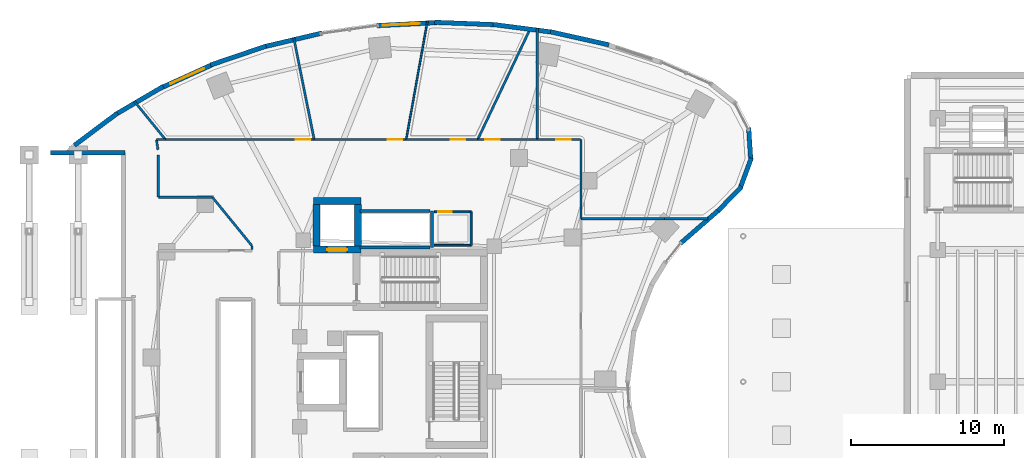
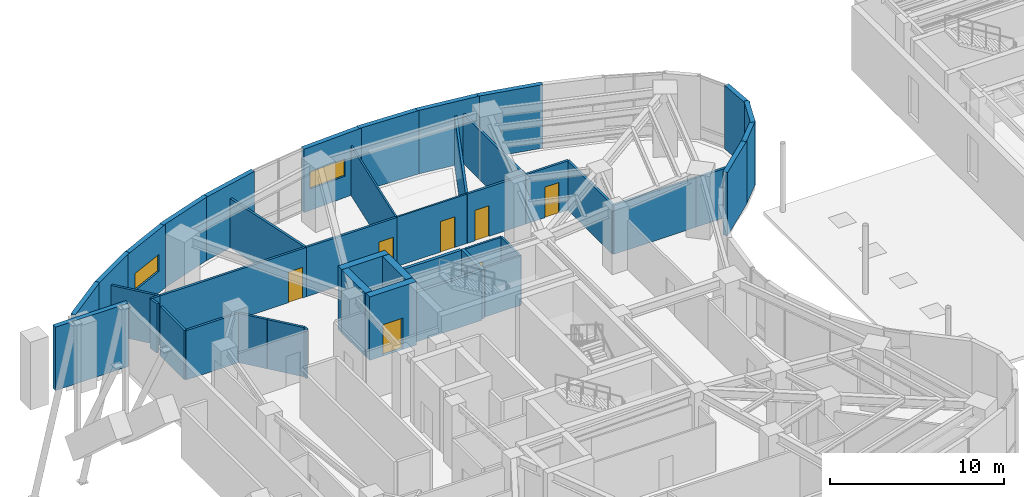
# One storey, part 18 of 24: 44 walls, 7 doors, 2 windows, 9 openings.
"""IFC4 building model written with IfcOpenShell, lengths in metres."""

import ifcopenshell
import ifcopenshell.guid

model = None  # the IFC model being written
_history = None  # IfcOwnerHistory: only IFC2X3 demands one
_inside = {}  # id of a spatial element -> (the spatial element, [elements in it])
_under = {}  # id of a project, library or spatial element -> (it, [spatial elements below it])
_declared = {}  # id of a project -> (the project, [libraries it declares])
_typed = {}  # id of a type object -> (the type object, [elements of that type])
_made_of = {}  # id of a material, layer set ... -> (it, [elements and type objects made of it])


def new_model(schema):
    """Start an empty IFC model of exactly this schema.

    Asked for "IFC4X3", IfcOpenShell would pick the latest addendum, in which some entities
    have other attributes; the version numbers below select the first issue.
    IFC2X3 requires an IfcOwnerHistory on every rooted entity: one is made here for all.
    """
    global model, _history
    if schema == "IFC4X3":
        model = ifcopenshell.file(schema_version=(4, 3, 0, 0))
    else:
        model = ifcopenshell.file(schema=schema)
    _inside.clear()
    _under.clear()
    _declared.clear()
    _typed.clear()
    _made_of.clear()
    _history = None
    if model.schema == "IFC2X3":
        org = make("IfcOrganization", Name="unknown")
        user = make(
            "IfcPersonAndOrganization",
            ThePerson=make("IfcPerson", FamilyName="unknown"),
            TheOrganization=org,
        )
        app = make(
            "IfcApplication",
            ApplicationDeveloper=org,
            Version="unknown",
            ApplicationFullName="unknown",
            ApplicationIdentifier="unknown",
        )
        _history = make(
            "IfcOwnerHistory",
            OwningUser=user,
            OwningApplication=app,
            ChangeAction="ADDED",
            CreationDate=0,
        )
    return model


def make(cls, **values):
    """One entity of the class cls with the attributes given. An attribute that is None is left unset."""
    return model.create_entity(
        cls, **{name: value for name, value in values.items() if value is not None}
    )


def rooted(cls, **values):
    """An entity with a GlobalId (a new one), such as an element, a storey or a relation."""
    return make(cls, GlobalId=ifcopenshell.guid.new(), OwnerHistory=_history, **values)


def si_unit(unit_type, name, prefix=None):
    """IfcSIUnit, for example si_unit("LENGTHUNIT", "METRE", prefix="MILLI")."""
    return make("IfcSIUnit", UnitType=unit_type, Prefix=prefix, Name=name)


def assignment(units):
    """IfcUnitAssignment: the units of a project."""
    return None if units is None else make("IfcUnitAssignment", Units=units)


def point(xyz):
    """IfcCartesianPoint."""
    return None if xyz is None else make("IfcCartesianPoint", Coordinates=xyz)


def direction(xyz):
    """IfcDirection."""
    return None if xyz is None else make("IfcDirection", DirectionRatios=xyz)


def frame(location, z_axis=None, x_axis=None):
    """IfcAxis2Placement3D, a coordinate frame: its origin and axes. An axis left out is left unset."""
    return make(
        "IfcAxis2Placement3D",
        Location=point(location),
        Axis=direction(z_axis),
        RefDirection=direction(x_axis),
    )


def frame_2d(location, x_axis=None):
    """IfcAxis2Placement2D, a coordinate frame in the plane: its origin and x axis."""
    return make(
        "IfcAxis2Placement2D", Location=point(location), RefDirection=direction(x_axis)
    )


def origin():
    """The frame at (0, 0, 0) with its axes left unset."""
    return frame((0.0, 0.0, 0.0))


def place(relative_to, where):
    """IfcLocalPlacement: puts the frame where relative to a parent placement (None: the world)."""
    return make(
        "IfcLocalPlacement", PlacementRelTo=relative_to, RelativePlacement=where
    )


def context(
    kind, dimensions, precision=None, world=None, true_north=None, identifier=None
):
    """IfcGeometricRepresentationContext, for example the 3D "Model" context."""
    return make(
        "IfcGeometricRepresentationContext",
        ContextIdentifier=identifier,
        ContextType=kind,
        CoordinateSpaceDimension=dimensions,
        Precision=precision,
        WorldCoordinateSystem=world,
        TrueNorth=true_north,
    )


def subcontext(parent, identifier, kind, view, scale=None):
    """IfcGeometricRepresentationSubContext, for example "Body" below "Model"."""
    return make(
        "IfcGeometricRepresentationSubContext",
        ContextIdentifier=identifier,
        ContextType=kind,
        ParentContext=parent,
        TargetScale=scale,
        TargetView=view,
    )


def project(units=None, contexts=None):
    """IfcProject with its units and contexts."""
    return rooted(
        "IfcProject",
        Name="project",
        RepresentationContexts=contexts,
        UnitsInContext=assignment(units),
    )


def spatial(cls, under=None, at=None, **own):
    """A site, building, storey or space (cls), placed at a placement, below another one or the project."""
    s = rooted(cls, ObjectPlacement=at, **own)
    if under is not None:
        _under.setdefault(under.id(), (under, []))[1].append(s)
    return s


def profile(cls, at=None, kind="AREA", **sizes):
    """A parametric profile (cls). Its sizes go by their IFC names, for example OverallWidth=200.0."""
    return make(cls, ProfileType=kind, Position=at, **sizes)


def rectangle(**sizes):
    """IfcRectangleProfileDef."""
    return profile("IfcRectangleProfileDef", **sizes)


def extrude(swept, where, along, depth):
    """IfcExtrudedAreaSolid: the profile swept, set in the frame where, extruded along a direction by depth."""
    return make(
        "IfcExtrudedAreaSolid",
        SweptArea=swept,
        Position=where,
        ExtrudedDirection=direction(along),
        Depth=depth,
    )


def shape(context_of_items, identifier, shape_type, items):
    """IfcShapeRepresentation: the items that make up one representation, for example the "Body"."""
    return make(
        "IfcShapeRepresentation",
        ContextOfItems=context_of_items,
        RepresentationIdentifier=identifier,
        RepresentationType=shape_type,
        Items=items,
    )


def material(Name=None, Category=None):
    """IfcMaterial."""
    return make("IfcMaterial", Name=Name, Category=Category)


def layer(
    of_material, thickness, ventilated=None, Name=None, Category=None, Priority=None
):
    """IfcMaterialLayer: one layer of a wall or slab, of a material (None: an air gap)."""
    return make(
        "IfcMaterialLayer",
        Material=of_material,
        LayerThickness=thickness,
        IsVentilated=ventilated,
        Name=Name,
        Category=Category,
        Priority=Priority,
    )


def layer_set(layers, Name=None):
    """IfcMaterialLayerSet."""
    return make("IfcMaterialLayerSet", MaterialLayers=layers, LayerSetName=Name)


def made_of(thing, what):
    """Note that an element or type object is made of a material, layer set ...; save() writes the relation."""
    if what is not None:
        _made_of.setdefault(what.id(), (what, []))[1].append(thing)
    return thing


def type_object(cls, material=None, **own):
    """A type object (cls), such as IfcWallType, which elements share."""
    return made_of(rooted(cls, **own), material)


def element(
    cls,
    number,
    at=None,
    inside=None,
    cuts=None,
    type_object=None,
    material=None,
    context=None,
    identifier="Body",
    shape_type=None,
    held_by="IfcProductDefinitionShape",
    body=None,
    shapes=None,
    **own,
):
    """One element of the class cls, such as IfcWall. Its Tag is "e" and its number.

    at: its placement. inside: the storey or other place that contains it. cuts: it is an
    opening in that element (IfcRelVoidsElement). A single representation is given by context,
    identifier, shape_type and body (its items); several are given by shapes. held_by: the class
    of the entity that holds the representations. save() writes the other relations.
    """
    e = rooted(cls, Tag="e%d" % number, ObjectPlacement=at, **own)
    if body is not None:
        shapes = [shape(context, identifier, shape_type, body)]
    if shapes is not None:
        e.Representation = make(held_by, Representations=shapes)
    if inside is not None:
        _inside.setdefault(inside.id(), (inside, []))[1].append(e)
    if cuts is not None:
        rooted(
            "IfcRelVoidsElement", RelatingBuildingElement=cuts, RelatedOpeningElement=e
        )
    if type_object is not None:
        _typed.setdefault(type_object.id(), (type_object, []))[1].append(e)
    return made_of(e, material)


def fill(opening, filler):
    """IfcRelFillsElement: the door or window that sits in an opening."""
    return rooted(
        "IfcRelFillsElement",
        RelatingOpeningElement=opening,
        RelatedBuildingElement=filler,
    )


def aggregate(whole, parts):
    """IfcRelAggregates: a whole, such as a stair, and the parts it consists of."""
    return rooted("IfcRelAggregates", RelatingObject=whole, RelatedObjects=parts)


def save(model, path):
    """Write the relations noted so far, then the file.

    IfcRelAggregates (storeys below a building ...), IfcRelContainedInSpatialStructure (elements
    in a storey), IfcRelDefinesByType, IfcRelAssociatesMaterial and IfcRelDeclares: one each for
    every whole, place, type object, material and project.
    """
    for whole, parts in _under.values():
        aggregate(whole, parts)
    for where, things in _inside.values():
        rooted(
            "IfcRelContainedInSpatialStructure",
            RelatedElements=things,
            RelatingStructure=where,
        )
    for kind, things in _typed.values():
        rooted("IfcRelDefinesByType", RelatedObjects=things, RelatingType=kind)
    for what, things in _made_of.values():
        rooted("IfcRelAssociatesMaterial", RelatedObjects=things, RelatingMaterial=what)
    for by, libraries in _declared.values():
        rooted("IfcRelDeclares", RelatingContext=by, RelatedDefinitions=libraries)
    model.write(path)


model = new_model("IFC4")

# Units and contexts
model_context = context("Model", 3, precision=1e-05, world=origin(), true_north=direction((0.0, 1.0)))
body_context = subcontext(model_context, "Body", "Model", "MODEL_VIEW")
ifc_project = project(units=[si_unit("LENGTHUNIT", "METRE"), si_unit("AREAUNIT", "SQUARE_METRE"), si_unit("VOLUMEUNIT", "CUBIC_METRE"), si_unit("PLANEANGLEUNIT", "RADIAN"), si_unit("MASSUNIT", "GRAM", prefix="KILO")], contexts=[model_context])

# Site, building, storey
site_placement = place(None, origin())
site = spatial("IfcSite", under=ifc_project, at=site_placement, CompositionType="ELEMENT")
building_placement = place(site_placement, origin())
building = spatial("IfcBuilding", under=site, at=building_placement, Name="Korentha Bioscience Tower", CompositionType="ELEMENT")
storey_placement = place(building_placement, frame((0.0, 0.0, 10.199951171875)))
storey = spatial("IfcBuildingStorey", under=building, at=storey_placement, Name="L02", CompositionType="ELEMENT", Elevation=10.199951171875)

# Wall, opening, door
ifc_material_1 = material(Name="Double-Stud Acoustic Gypsum", Category="gypsum")
ifc_layer_1 = layer(ifc_material_1, 0.14990234375, Name="Double-Stud Acoustic Gypsum")
ifc_layer_set_1 = layer_set([ifc_layer_1], Name="Double-Stud Acoustic Gypsum (IW-L150)")
wall_type_1 = type_object("IfcWallType", Name="Acoustic Laboratory Partition Wall 150", PredefinedType="PARTITIONING", material=ifc_layer_set_1)
wall_1_placement = place(storey_placement, frame((43.199951171875, 42.81005859375, 0.0), z_axis=(0.0, 0.0, 1.0), x_axis=(-1.0, 0.0, 0.0)))
wall_1 = element("IfcWall", 1, at=wall_1_placement, inside=storey, type_object=wall_type_1, Name="L02 Academic Poster Exhibition Lounge 10 Entrance Wall", PredefinedType="PARTITIONING", context=body_context, shape_type="SweptSolid", body=[
    extrude(rectangle(XDim=2.847900390625, YDim=0.14990234375, at=frame_2d((1.423828125, 0.0))), origin(), (0.0, 0.0, 1.0), 3.4599609375),
])
opening_1_placement = place(wall_1_placement, frame((0.639404296875, 0.0, 0.0)))
opening_1 = element("IfcOpeningElement", 2, at=opening_1_placement, cuts=wall_1, Name="Opening ID-10L", PredefinedType="OPENING", context=body_context, shape_type="SweptSolid", body=[
    extrude(rectangle(XDim=0.949951171875, YDim=2.14990234375, at=frame_2d((0.47509765625, 1.074951171875))), frame((0.0, 0.08984375, 0.0), z_axis=(0.0, -1.0, 0.0), x_axis=(1.0, 0.0, 0.0)), (0.0, 0.0, 1.0), 0.1796875),
])
ifc_material_2 = material(Name="Phenolic Laminate Timber Core", Category="wood")
door_type_1 = type_object("IfcDoorType", Name="Laboratory Single Leaf Door 950x2150 Left", OperationType="SINGLE_SWING_LEFT", PredefinedType="DOOR", material=ifc_material_2)
door_1_placement = place(opening_1_placement, origin())
door_1 = element("IfcDoor", 3, at=door_1_placement, inside=storey, type_object=door_type_1, Name="L02 Academic Poster Exhibition Lounge 10 Door", OperationType="SINGLE_SWING_LEFT", OverallHeight=2.14990234375, OverallWidth=0.949951171875, PredefinedType="DOOR", context=body_context, shape_type="SweptSolid", body=[
    extrude(rectangle(XDim=0.949951171875, YDim=2.14990234375, at=frame_2d((0.47509765625, 1.074951171875))), frame((0.0, 0.02490234375, 0.0), z_axis=(0.0, -1.0, 0.0), x_axis=(1.0, 0.0, 0.0)), (0.0, 0.0, 1.0), 0.050048828125),
])
fill(opening_1, door_1)

wall_2_placement = place(storey_placement, frame((40.342041015625, 42.81005859375, 0.0), z_axis=(0.0, 0.0, 1.0), x_axis=(-1.0, 0.0, 0.0)))
wall_2 = element("IfcWall", 4, at=wall_2_placement, inside=storey, type_object=wall_type_1, Name="L02 Industry Incubator Co-Working Studio 11 Entrance Wall", PredefinedType="PARTITIONING", context=body_context, shape_type="SweptSolid", body=[
    extrude(rectangle(XDim=3.86865234375, YDim=0.14990234375, at=frame_2d((1.934326171875, 0.0))), origin(), (0.0, 0.0, 1.0), 3.4599609375),
])
opening_2_placement = place(wall_2_placement, frame((2.4267578125, 0.0, 0.0)))
opening_2 = element("IfcOpeningElement", 5, at=opening_2_placement, cuts=wall_2, Name="Opening ID-10R", PredefinedType="OPENING", context=body_context, shape_type="SweptSolid", body=[
    extrude(rectangle(XDim=0.949951171875, YDim=2.14990234375, at=frame_2d((0.47509765625, 1.074951171875))), frame((0.0, 0.08984375, 0.0), z_axis=(0.0, -1.0, 0.0), x_axis=(1.0, 0.0, 0.0)), (0.0, 0.0, 1.0), 0.1796875),
])
door_type_2 = type_object("IfcDoorType", Name="Laboratory Single Leaf Door 950x2150 Right", OperationType="SINGLE_SWING_RIGHT", PredefinedType="DOOR", material=ifc_material_2)
door_2_placement = place(opening_2_placement, origin())
door_2 = element("IfcDoor", 6, at=door_2_placement, inside=storey, type_object=door_type_2, Name="L02 Industry Incubator Co-Working Studio 11 Door", OperationType="SINGLE_SWING_RIGHT", OverallHeight=2.14990234375, OverallWidth=0.949951171875, PredefinedType="DOOR", context=body_context, shape_type="SweptSolid", body=[
    extrude(rectangle(XDim=0.949951171875, YDim=2.14990234375, at=frame_2d((0.47509765625, 1.074951171875))), frame((0.0, 0.02490234375, 0.0), z_axis=(0.0, -1.0, 0.0), x_axis=(1.0, 0.0, 0.0)), (0.0, 0.0, 1.0), 0.050048828125),
])
fill(opening_2, door_2)

wall_3_placement = place(storey_placement, frame((31.798095703125, 42.81005859375, 0.0), z_axis=(0.0, 0.0, 1.0), x_axis=(-1.0, 0.0, 0.0)))
wall_3 = element("IfcWall", 7, at=wall_3_placement, inside=storey, type_object=wall_type_1, Name="L02 Bioscience Reference Library 13 Entrance Wall", PredefinedType="PARTITIONING", context=body_context, shape_type="SweptSolid", body=[
    extrude(rectangle(XDim=5.998046875, YDim=0.14990234375, at=frame_2d((2.9990234375, 0.0))), origin(), (0.0, 0.0, 1.0), 3.4599609375),
])
opening_3_placement = place(wall_3_placement, frame((0.239990234375, 0.0, 0.0)))
opening_3 = element("IfcOpeningElement", 8, at=opening_3_placement, cuts=wall_3, Name="Opening ID-10R", PredefinedType="OPENING", context=body_context, shape_type="SweptSolid", body=[
    extrude(rectangle(XDim=0.949951171875, YDim=2.14990234375, at=frame_2d((0.47509765625, 1.074951171875))), frame((0.0, 0.08984375, 0.0), z_axis=(0.0, -1.0, 0.0), x_axis=(1.0, 0.0, 0.0)), (0.0, 0.0, 1.0), 0.1796875),
])
door_3_placement = place(opening_3_placement, origin())
door_3 = element("IfcDoor", 9, at=door_3_placement, inside=storey, type_object=door_type_2, Name="L02 Bioscience Reference Library 13 Door", OperationType="SINGLE_SWING_RIGHT", OverallHeight=2.14990234375, OverallWidth=0.949951171875, PredefinedType="DOOR", context=body_context, shape_type="SweptSolid", body=[
    extrude(rectangle(XDim=0.949951171875, YDim=2.14990234375, at=frame_2d((0.47509765625, 1.074951171875))), frame((0.0, 0.02490234375, 0.0), z_axis=(0.0, -1.0, 0.0), x_axis=(1.0, 0.0, 0.0)), (0.0, 0.0, 1.0), 0.050048828125),
])
fill(opening_3, door_3)

wall_4_placement = place(storey_placement, frame((25.789794921875, 42.81005859375, 0.0), z_axis=(0.0, 0.0, 1.0), x_axis=(-1.0, 0.0, 0.0)))
wall_4 = element("IfcWall", 10, at=wall_4_placement, inside=storey, type_object=wall_type_1, Name="L02 Faculty Dining Restaurant 14 Entrance Wall", PredefinedType="PARTITIONING", context=body_context, shape_type="SweptSolid", body=[
    extrude(rectangle(XDim=9.69482421875, YDim=0.14990234375, at=frame_2d((4.847412109375, 0.0))), origin(), (0.0, 0.0, 1.0), 3.4599609375),
])
opening_4_placement = place(wall_4_placement, frame((0.239990234375, 0.0, 0.0)))
opening_4 = element("IfcOpeningElement", 11, at=opening_4_placement, cuts=wall_4, Name="Opening ID-10L", PredefinedType="OPENING", context=body_context, shape_type="SweptSolid", body=[
    extrude(rectangle(XDim=0.949951171875, YDim=2.14990234375, at=frame_2d((0.47509765625, 1.074951171875))), frame((0.0, 0.08984375, 0.0), z_axis=(0.0, -1.0, 0.0), x_axis=(1.0, 0.0, 0.0)), (0.0, 0.0, 1.0), 0.1796875),
])
door_4_placement = place(opening_4_placement, origin())
door_4 = element("IfcDoor", 12, at=door_4_placement, inside=storey, type_object=door_type_1, Name="L02 Faculty Dining Restaurant 14 Door", OperationType="SINGLE_SWING_LEFT", OverallHeight=2.14990234375, OverallWidth=0.949951171875, PredefinedType="DOOR", context=body_context, shape_type="SweptSolid", body=[
    extrude(rectangle(XDim=0.949951171875, YDim=2.14990234375, at=frame_2d((0.47509765625, 1.074951171875))), frame((0.0, 0.02490234375, 0.0), z_axis=(0.0, -1.0, 0.0), x_axis=(1.0, 0.0, 0.0)), (0.0, 0.0, 1.0), 0.050048828125),
])
fill(opening_4, door_4)

# Walls
wall_5_placement = place(storey_placement, frame((48.6591796875, 37.64794921875, 0.0), z_axis=(0.0, 0.0, 1.0), x_axis=(1.0, 0.0, 0.0)))
element("IfcWall", 13, at=wall_5_placement, inside=storey, type_object=wall_type_1, Name="L02 Interior Partition 049", PredefinedType="PARTITIONING", context=body_context, shape_type="SweptSolid", body=[
    extrude(rectangle(XDim=2.8466796875, YDim=0.14990234375, at=frame_2d((1.42333984375, 0.0))), origin(), (0.0, 0.0, 1.0), 3.4599609375),
])
wall_6_placement = place(storey_placement, frame((43.2099609375, 37.64794921875, 0.0), z_axis=(0.0, 0.0, 1.0), x_axis=(1.0, 0.0, 0.0)))
element("IfcWall", 14, at=wall_6_placement, inside=storey, type_object=wall_type_1, Name="L02 Interior Partition 050", PredefinedType="PARTITIONING", context=body_context, shape_type="SweptSolid", body=[
    extrude(rectangle(XDim=5.440673828125, YDim=0.14990234375, at=frame_2d((2.72021484375, 0.0))), origin(), (0.0, 0.0, 1.0), 3.4599609375),
])
wall_7_placement = place(storey_placement, frame((43.2099609375, 37.657958984375, 0.0), z_axis=(0.0, 0.0, 1.0), x_axis=(0.0, 1.0, 0.0)))
element("IfcWall", 15, at=wall_7_placement, inside=storey, type_object=wall_type_1, Name="L02 Interior Partition 051", PredefinedType="PARTITIONING", context=body_context, shape_type="SweptSolid", body=[
    extrude(rectangle(XDim=5.14208984375, YDim=0.14990234375, at=frame_2d((2.571044921875, 0.0))), origin(), (0.0, 0.0, 1.0), 3.4599609375),
])
wall_8_placement = place(storey_placement, frame((40.35205078125, 42.81005859375, 0.0), z_axis=(0.0, 0.0, 1.0), x_axis=(0.0, 1.0, 0.0)))
element("IfcWall", 16, at=wall_8_placement, inside=storey, type_object=wall_type_1, Name="L02 Interior Partition 052", PredefinedType="PARTITIONING", context=body_context, shape_type="SweptSolid", body=[
    extrude(rectangle(XDim=7.258544921875, YDim=0.14990234375, at=frame_2d((3.62939453125, 0.0))), origin(), (0.0, 0.0, 1.0), 3.4599609375),
])
wall_9_placement = place(storey_placement, frame((36.473388671875, 42.81005859375, 0.0), z_axis=(0.0, 0.0, 1.0), x_axis=(0.428481123873, 0.903550732657, 0.0)))
element("IfcWall", 17, at=wall_9_placement, inside=storey, type_object=wall_type_1, Name="L02 Interior Partition 053", PredefinedType="PARTITIONING", context=body_context, shape_type="SweptSolid", body=[
    extrude(rectangle(XDim=8.08056640625, YDim=0.14990234375, at=frame_2d((4.040283203125, 0.0))), origin(), (0.0, 0.0, 1.0), 3.4599609375),
])
wall_10_placement = place(storey_placement, frame((25.800048828125, 42.81005859375, 0.0), z_axis=(0.0, 0.0, 1.0), x_axis=(-0.196920323658, 0.980419494977, 0.0)))
element("IfcWall", 18, at=wall_10_placement, inside=storey, type_object=wall_type_1, Name="L02 Interior Partition 055", PredefinedType="PARTITIONING", context=body_context, shape_type="SweptSolid", body=[
    extrude(rectangle(XDim=6.771728515625, YDim=0.14990234375, at=frame_2d((3.3857421875, 0.0))), origin(), (0.0, 0.0, 1.0), 3.4599609375),
])
wall_11_placement = place(storey_placement, frame((16.094970703125, 42.81005859375, 0.0), z_axis=(0.0, 0.0, 1.0), x_axis=(-0.631654377787, 0.775250119008, 0.0)))
element("IfcWall", 19, at=wall_11_placement, inside=storey, type_object=wall_type_1, Name="L02 Interior Partition 056", PredefinedType="PARTITIONING", context=body_context, shape_type="SweptSolid", body=[
    extrude(rectangle(XDim=3.218505859375, YDim=0.14990234375, at=frame_2d((1.609375, 0.0))), origin(), (0.0, 0.0, 1.0), 3.4599609375),
])
wall_12_placement = place(storey_placement, frame((16.08203125, 42.81005859375, 0.0), z_axis=(0.0, 0.0, 1.0), x_axis=(-1.0, 0.0, 0.0)))
element("IfcWall", 20, at=wall_12_placement, inside=storey, type_object=wall_type_1, Name="L02 Interior Partition 057", PredefinedType="PARTITIONING", context=body_context, shape_type="SweptSolid", body=[
    extrude(rectangle(XDim=0.56396484375, YDim=0.14990234375, at=frame_2d((0.281982421875, 0.0))), origin(), (0.0, 0.0, 1.0), 3.4599609375),
])
wall_13_placement = place(storey_placement, frame((15.508056640625, 42.798583984375, 0.0), z_axis=(0.0, 0.0, 1.0), x_axis=(0.146882189547, -0.989153993266, 0.0)))
element("IfcWall", 21, at=wall_13_placement, inside=storey, type_object=wall_type_1, Name="L02 Interior Partition 058", PredefinedType="PARTITIONING", context=body_context, shape_type="SweptSolid", body=[
    extrude(rectangle(XDim=0.6630859375, YDim=0.14990234375, at=frame_2d((0.33154296875, 0.0))), origin(), (0.0, 0.0, 1.0), 3.4599609375),
])
wall_14_placement = place(storey_placement, frame((15.6298828125, 41.7998046875, 0.0), z_axis=(0.0, 0.0, 1.0), x_axis=(0.0, -1.0, 0.0)))
element("IfcWall", 22, at=wall_14_placement, inside=storey, type_object=wall_type_1, Name="L02 Interior Partition 059", PredefinedType="PARTITIONING", context=body_context, shape_type="SweptSolid", body=[
    extrude(rectangle(XDim=2.749755859375, YDim=0.14990234375, at=frame_2d((1.375, 0.0))), origin(), (0.0, 0.0, 1.0), 3.4599609375),
])
wall_15_placement = place(storey_placement, frame((15.639892578125, 39.0400390625, 0.0), z_axis=(0.0, 0.0, 1.0), x_axis=(1.0, 0.0, 0.0)))
element("IfcWall", 23, at=wall_15_placement, inside=storey, type_object=wall_type_1, Name="L02 Interior Partition 060", PredefinedType="PARTITIONING", context=body_context, shape_type="SweptSolid", body=[
    extrude(rectangle(XDim=3.521484375, YDim=0.14990234375, at=frame_2d((1.7607421875, 0.0))), origin(), (0.0, 0.0, 1.0), 3.4599609375),
])
wall_16_placement = place(storey_placement, frame((19.161376953125, 39.0400390625, 0.0), z_axis=(0.0, 0.0, 1.0), x_axis=(0.631654738662, -0.775249824977, 0.0)))
element("IfcWall", 24, at=wall_16_placement, inside=storey, type_object=wall_type_1, Name="L02 Interior Partition 061", PredefinedType="PARTITIONING", context=body_context, shape_type="SweptSolid", body=[
    extrude(rectangle(XDim=1.790283203125, YDim=0.14990234375, at=frame_2d((0.89501953125, 0.0))), origin(), (0.0, 0.0, 1.0), 3.4599609375),
])
wall_17_placement = place(storey_placement, frame((20.295654296875, 37.64794921875, 0.0), z_axis=(0.0, 0.0, 1.0), x_axis=(0.631596904156, -0.775296943539, 0.0)))
element("IfcWall", 25, at=wall_17_placement, inside=storey, type_object=wall_type_1, Name="L02 Interior Partition 062", PredefinedType="PARTITIONING", context=body_context, shape_type="SweptSolid", body=[
    extrude(rectangle(XDim=2.286865234375, YDim=0.14990234375, at=frame_2d((1.1435546875, 0.0))), origin(), (0.0, 0.0, 1.0), 3.4599609375),
])
wall_18_placement = place(storey_placement, frame((21.739990234375, 35.875, 0.0), z_axis=(0.0, 0.0, 1.0), x_axis=(0.0, -1.0, 0.0)))
element("IfcWall", 26, at=wall_18_placement, inside=storey, type_object=wall_type_1, Name="L02 Interior Partition 063", PredefinedType="PARTITIONING", context=body_context, shape_type="SweptSolid", body=[
    extrude(rectangle(XDim=0.237060546875, YDim=0.14990234375, at=frame_2d((0.11865234375, 0.0))), origin(), (0.0, 0.0, 1.0), 3.4599609375),
])

# Wall, opening, door
ifc_material_3 = material(Name="Fire-Rated Framed Glass", Category="glass")
ifc_layer_2 = layer(ifc_material_3, 0.110107421875, Name="Fire-Rated Framed Glass")
ifc_layer_set_2 = layer_set([ifc_layer_2], Name="Fire-Rated Framed Glass (IW-G110)")
wall_type_2 = type_object("IfcWallType", Name="Demountable Glazed Office Partition 110", PredefinedType="MOVABLE", material=ifc_layer_set_2)
wall_19_placement = place(storey_placement, frame((36.46337890625, 42.81005859375, 0.0), z_axis=(0.0, 0.0, 1.0), x_axis=(-1.0, 0.0, 0.0)))
wall_19 = element("IfcWall", 27, at=wall_19_placement, inside=storey, type_object=wall_type_2, Name="L02 Visiting Scholars' Seminar Suite 12 Entrance Wall", PredefinedType="MOVABLE", context=body_context, shape_type="SweptSolid", body=[
    extrude(rectangle(XDim=4.6552734375, YDim=0.110107421875, at=frame_2d((2.32763671875, 0.0))), origin(), (0.0, 0.0, 1.0), 3.4599609375),
])
opening_5_placement = place(wall_19_placement, frame((0.813232421875, 0.0, 0.0)))
opening_5 = element("IfcOpeningElement", 28, at=opening_5_placement, cuts=wall_19, Name="Opening ID-10L", PredefinedType="OPENING", context=body_context, shape_type="SweptSolid", body=[
    extrude(rectangle(XDim=0.949951171875, YDim=2.14990234375, at=frame_2d((0.47509765625, 1.074951171875))), frame((0.0, 0.06982421875, 0.0), z_axis=(0.0, -1.0, 0.0), x_axis=(1.0, 0.0, 0.0)), (0.0, 0.0, 1.0), 0.139892578125),
])
door_5_placement = place(opening_5_placement, origin())
door_5 = element("IfcDoor", 29, at=door_5_placement, inside=storey, type_object=door_type_1, Name="L02 Visiting Scholars' Seminar Suite 12 Door", OperationType="SINGLE_SWING_LEFT", OverallHeight=2.14990234375, OverallWidth=0.949951171875, PredefinedType="DOOR", context=body_context, shape_type="SweptSolid", body=[
    extrude(rectangle(XDim=0.949951171875, YDim=2.14990234375, at=frame_2d((0.47509765625, 1.074951171875))), frame((0.0, 0.02490234375, 0.0), z_axis=(0.0, -1.0, 0.0), x_axis=(1.0, 0.0, 0.0)), (0.0, 0.0, 1.0), 0.050048828125),
])
fill(opening_5, door_5)

# Wall
wall_20_placement = place(storey_placement, frame((31.80810546875, 42.81005859375, 0.0), z_axis=(0.0, 0.0, 1.0), x_axis=(0.176333699902, 0.984330445673, 0.0)))
element("IfcWall", 30, at=wall_20_placement, inside=storey, type_object=wall_type_2, Name="L02 Interior Partition 054", PredefinedType="MOVABLE", context=body_context, shape_type="SweptSolid", body=[
    extrude(rectangle(XDim=7.857177734375, YDim=0.110107421875, at=frame_2d((3.9287109375, 0.0))), origin(), (0.0, 0.0, 1.0), 3.4599609375),
])

# Wall, opening, window
ifc_material_4 = material(Name="Honed Limestone Precast Concrete C40", Category="masonry")
ifc_layer_3 = layer(ifc_material_4, 0.300048828125, Name="Honed Limestone Precast Concrete C40")
ifc_layer_set_3 = layer_set([ifc_layer_3], Name="Honed Limestone Precast Concrete C40 (EW-ST300)")
wall_type_3 = type_object("IfcWallType", Name="Honed Limestone Cavity Spandrel Wall 300", PredefinedType="STANDARD", material=ifc_layer_set_3)
wall_21_placement = place(storey_placement, frame((33.8212890625, 50.4423828125, 0.0), z_axis=(0.0, 0.0, 1.0), x_axis=(-0.99873153138, -0.050352042933, 0.0)))
wall_21 = element("IfcWall", 31, at=wall_21_placement, inside=storey, type_object=wall_type_3, Name="L02 Honed Limestone Spandrel Wall 06", PredefinedType="STANDARD", context=body_context, shape_type="SweptSolid", body=[
    extrude(rectangle(XDim=3.93701171875, YDim=0.300048828125, at=frame_2d((1.968505859375, 0.0))), origin(), (0.0, 0.0, 1.0), 4.449951171875),
])
opening_6_placement = place(wall_21_placement, frame((1.136474609375, 0.0, 1.5)))
opening_6 = element("IfcOpeningElement", 32, at=opening_6_placement, cuts=wall_21, Name="Opening WN-04", PredefinedType="OPENING", context=body_context, shape_type="SweptSolid", body=[
    extrude(rectangle(XDim=2.39990234375, YDim=1.199951171875, at=frame_2d((1.199951171875, 0.60009765625))), frame((0.0, 0.1650390625, 0.0), z_axis=(0.0, -1.0, 0.0), x_axis=(1.0, 0.0, 0.0)), (0.0, 0.0, 1.0), 0.329833984375),
])
ifc_material_5 = material(Name="Thermally Broken Aluminium Triple Glazing", Category="aluminium")
window_type = type_object("IfcWindowType", Name="Podium Clerestory Ribbon Window 2400x1200", PartitioningType="DOUBLE_PANEL_HORIZONTAL", PredefinedType="WINDOW", material=ifc_material_5)
window_1_placement = place(opening_6_placement, origin())
window_1 = element("IfcWindow", 33, at=window_1_placement, inside=storey, type_object=window_type, Name="L02 Facade Window 06", OverallHeight=1.199951171875, OverallWidth=2.39990234375, PartitioningType="DOUBLE_PANEL_HORIZONTAL", PredefinedType="WINDOW", context=body_context, shape_type="SweptSolid", body=[
    extrude(rectangle(XDim=2.39990234375, YDim=1.199951171875, at=frame_2d((1.199951171875, 0.60009765625))), frame((0.0, 0.030029296875, 0.0), z_axis=(0.0, -1.0, 0.0), x_axis=(1.0, 0.0, 0.0)), (0.0, 0.0, 1.0), 0.06005859375),
])
fill(opening_6, window_1)

wall_22_placement = place(storey_placement, frame((19.19140625, 47.716796875, 0.0), z_axis=(0.0, 0.0, 1.0), x_axis=(-0.910608120407, -0.413270917254, 0.0)))
wall_22 = element("IfcWall", 34, at=wall_22_placement, inside=storey, type_object=wall_type_3, Name="L02 Honed Limestone Spandrel Wall 10", PredefinedType="STANDARD", context=body_context, shape_type="SweptSolid", body=[
    extrude(rectangle(XDim=3.699951171875, YDim=0.300048828125, at=frame_2d((1.85009765625, 0.0))), origin(), (0.0, 0.0, 1.0), 4.449951171875),
])
opening_7_placement = place(wall_22_placement, frame((0.64990234375, 0.0, 1.5)))
opening_7 = element("IfcOpeningElement", 35, at=opening_7_placement, cuts=wall_22, Name="Opening WN-04", PredefinedType="OPENING", context=body_context, shape_type="SweptSolid", body=[
    extrude(rectangle(XDim=2.39990234375, YDim=1.199951171875, at=frame_2d((1.199951171875, 0.60009765625))), frame((0.0, 0.1650390625, 0.0), z_axis=(0.0, -1.0, 0.0), x_axis=(1.0, 0.0, 0.0)), (0.0, 0.0, 1.0), 0.329833984375),
])
window_2_placement = place(opening_7_placement, origin())
window_2 = element("IfcWindow", 36, at=window_2_placement, inside=storey, type_object=window_type, Name="L02 Facade Window 10", OverallHeight=1.199951171875, OverallWidth=2.39990234375, PartitioningType="DOUBLE_PANEL_HORIZONTAL", PredefinedType="WINDOW", context=body_context, shape_type="SweptSolid", body=[
    extrude(rectangle(XDim=2.39990234375, YDim=1.199951171875, at=frame_2d((1.199951171875, 0.60009765625))), frame((0.0, 0.030029296875, 0.0), z_axis=(0.0, -1.0, 0.0), x_axis=(1.0, 0.0, 0.0)), (0.0, 0.0, 1.0), 0.06005859375),
])
fill(opening_7, window_2)

# Walls
wall_23_placement = place(storey_placement, frame((45.03955078125, 48.9912109375, 0.0), z_axis=(0.0, 0.0, 1.0), x_axis=(-0.975868573345, 0.218358713032, 0.0)))
element("IfcWall", 37, at=wall_23_placement, inside=storey, type_object=wall_type_3, Name="L02 Limestone Perimeter Closure Wall 03", PredefinedType="STANDARD", context=body_context, shape_type="SweptSolid", body=[
    extrude(rectangle(XDim=3.90869140625, YDim=0.300048828125, at=frame_2d((1.954345703125, 0.0))), origin(), (0.0, 0.0, 1.0), 4.449951171875),
])
wall_24_placement = place(storey_placement, frame((41.39501953125, 49.814697265625, 0.0), z_axis=(0.0, 0.0, 1.0), x_axis=(-0.991734095036, 0.128310111617, 0.0)))
element("IfcWall", 38, at=wall_24_placement, inside=storey, type_object=wall_type_3, Name="L02 Limestone Perimeter Closure Wall 04", PredefinedType="STANDARD", context=body_context, shape_type="SweptSolid", body=[
    extrude(rectangle(XDim=3.955810546875, YDim=0.300048828125, at=frame_2d((1.97802734375, 0.0))), origin(), (0.0, 0.0, 1.0), 4.449951171875),
])
wall_25_placement = place(storey_placement, frame((37.643798828125, 50.307861328125, 0.0), z_axis=(0.0, 0.0, 1.0), x_axis=(-0.999245411623, 0.038840794937, 0.0)))
element("IfcWall", 39, at=wall_25_placement, inside=storey, type_object=wall_type_3, Name="L02 Limestone Perimeter Closure Wall 05", PredefinedType="STANDARD", context=body_context, shape_type="SweptSolid", body=[
    extrude(rectangle(XDim=3.978759765625, YDim=0.300048828125, at=frame_2d((1.9892578125, 0.0))), origin(), (0.0, 0.0, 1.0), 4.449951171875),
])
wall_26_placement = place(storey_placement, frame((26.29736328125, 49.7587890625, 0.0), z_axis=(0.0, 0.0, 1.0), x_axis=(-0.973197600754, -0.229970497863, 0.0)))
element("IfcWall", 40, at=wall_26_placement, inside=storey, type_object=wall_type_3, Name="L02 Limestone Perimeter Closure Wall 08", PredefinedType="STANDARD", context=body_context, shape_type="SweptSolid", body=[
    extrude(rectangle(XDim=3.9013671875, YDim=0.300048828125, at=frame_2d((1.95068359375, 0.0))), origin(), (0.0, 0.0, 1.0), 4.449951171875),
])
wall_27_placement = place(storey_placement, frame((22.6669921875, 48.9091796875, 0.0), z_axis=(0.0, 0.0, 1.0), x_axis=(-0.94702579403, -0.321157508773, 0.0)))
element("IfcWall", 41, at=wall_27_placement, inside=storey, type_object=wall_type_3, Name="L02 Limestone Perimeter Closure Wall 09", PredefinedType="STANDARD", context=body_context, shape_type="SweptSolid", body=[
    extrude(rectangle(XDim=3.829833984375, YDim=0.300048828125, at=frame_2d((1.9150390625, 0.0))), origin(), (0.0, 0.0, 1.0), 4.449951171875),
])
wall_28_placement = place(storey_placement, frame((15.95068359375, 46.27783203125, 0.0), z_axis=(0.0, 0.0, 1.0), x_axis=(-0.8624654944, -0.506115867139, 0.0)))
element("IfcWall", 42, at=wall_28_placement, inside=storey, type_object=wall_type_3, Name="L02 Limestone Perimeter Closure Wall 11", PredefinedType="STANDARD", context=body_context, shape_type="SweptSolid", body=[
    extrude(rectangle(XDim=3.63525390625, YDim=0.300048828125, at=frame_2d((1.817626953125, 0.0))), origin(), (0.0, 0.0, 1.0), 4.449951171875),
])
wall_29_placement = place(storey_placement, frame((12.96142578125, 44.53515625, 0.0), z_axis=(0.0, 0.0, 1.0), x_axis=(-0.800823020995, -0.598901067827, 0.0)))
element("IfcWall", 43, at=wall_29_placement, inside=storey, type_object=wall_type_3, Name="L02 Limestone Perimeter Closure Wall 12", PredefinedType="STANDARD", context=body_context, shape_type="SweptSolid", body=[
    extrude(rectangle(XDim=3.520751953125, YDim=0.300048828125, at=frame_2d((1.76025390625, 0.0))), origin(), (0.0, 0.0, 1.0), 4.449951171875),
])
wall_30_placement = place(storey_placement, frame((49.708984375, 36.029296875, 0.0), z_axis=(0.0, 0.0, 1.0), x_axis=(0.754746490246, 0.656016566454, 0.0)))
element("IfcWall", 44, at=wall_30_placement, inside=storey, type_object=wall_type_3, Name="L02 Limestone Perimeter Closure Wall 56", PredefinedType="STANDARD", context=body_context, shape_type="SweptSolid", body=[
    extrude(rectangle(XDim=3.4296875, YDim=0.300048828125, at=frame_2d((1.71484375, 0.0))), origin(), (0.0, 0.0, 1.0), 4.449951171875),
])
wall_31_placement = place(storey_placement, frame((52.1728515625, 38.1611328125, 0.0), z_axis=(0.0, 0.0, 1.0), x_axis=(0.695404695719, 0.718618333451, 0.0)))
element("IfcWall", 45, at=wall_31_placement, inside=storey, type_object=wall_type_3, Name="L02 Limestone Perimeter Closure Wall 58", PredefinedType="STANDARD", context=body_context, shape_type="SweptSolid", body=[
    extrude(rectangle(XDim=2.1875, YDim=0.300048828125, at=frame_2d((1.09375, 0.0))), origin(), (0.0, 0.0, 1.0), 4.449951171875),
])
for number, where, z_axis, x_axis, name in (
    (46, (53.580078125, 39.551513671875, 0.0), (0.0, 0.0, 1.0), (0.344939866054, 0.938624785954, 0.0), "L02 Limestone Perimeter Closure Wall 59"),
    (47, (54.303955078125, 41.392578125, 0.0), (0.0, 0.0, 1.0), (-0.064615302336, 0.99791024782, 0.0), "L02 Limestone Perimeter Closure Wall 60"),
):
    element("IfcWall", number, at=place(storey_placement, frame(where, z_axis=z_axis, x_axis=x_axis)), inside=storey, type_object=wall_type_3, Name=name, PredefinedType="STANDARD", context=body_context, shape_type="SweptSolid", body=[
        extrude(rectangle(XDim=2.187744140625, YDim=0.300048828125, at=frame_2d((1.09375, 0.0))), origin(), (0.0, 0.0, 1.0), 4.449951171875),
    ])
wall_32_placement = place(storey_placement, frame((8.60009765625, 41.949951171875, 0.0), z_axis=(0.0, 0.0, 1.0), x_axis=(1.0, 0.0, 0.0)))
element("IfcWall", 48, at=wall_32_placement, inside=storey, type_object=wall_type_3, Name="L02 Arch Plaza Recess North Cheek Wall", PredefinedType="STANDARD", context=body_context, shape_type="SweptSolid", body=[
    extrude(rectangle(XDim=4.849853515625, YDim=0.300048828125, at=frame_2d((2.4248046875, 0.0))), origin(), (0.0, 0.0, 1.0), 4.449951171875),
])
ifc_material_6 = material(Name="Autoclaved Aerated Concrete Block C25", Category="concrete")
ifc_layer_4 = layer(ifc_material_6, 0.199951171875, Name="Autoclaved Aerated Concrete Block C25")
ifc_layer_set_4 = layer_set([ifc_layer_4], Name="Autoclaved Aerated Concrete Block C25 (IW-S200)")
wall_type_4 = type_object("IfcWallType", Name="Lift and Riser Shaft Enclosure Wall 200", PredefinedType="PARTITIONING", material=ifc_layer_set_4)
wall_33_placement = place(storey_placement, frame((33.489990234375, 35.760009765625, 0.0), z_axis=(0.0, 0.0, 1.0), x_axis=(0.0, 1.0, 0.0)))
element("IfcWall", 49, at=wall_33_placement, inside=storey, type_object=wall_type_4, Name="L02 Lift Bank OBS Shaft Wall +X", PredefinedType="PARTITIONING", context=body_context, shape_type="SweptSolid", body=[
    extrude(rectangle(XDim=2.3798828125, YDim=0.199951171875, at=frame_2d((1.18994140625, 0.0))), origin(), (0.0, 0.0, 1.0), 3.4599609375),
])
for number, where, z_axis, x_axis, name in (
    (50, (28.800048828125, 35.760009765625, 0.0), (0.0, 0.0, 1.0), (1.0, 0.0, 0.0), "L02 Lift Bank OBS Shaft Wall -Y"),
    (51, (28.800048828125, 38.139892578125, 0.0), (0.0, 0.0, 1.0), (1.0, 0.0, 0.0), "L02 Lift Bank OBS Shaft Wall +Y"),
):
    element("IfcWall", number, at=place(storey_placement, frame(where, z_axis=z_axis, x_axis=x_axis)), inside=storey, type_object=wall_type_4, Name=name, PredefinedType="PARTITIONING", context=body_context, shape_type="SweptSolid", body=[
        extrude(rectangle(XDim=4.570068359375, YDim=0.199951171875, at=frame_2d((2.28515625, 0.0))), origin(), (0.0, 0.0, 1.0), 3.4599609375),
    ])
ifc_material_7 = material(Name="Concrete C80", Category="concrete")
ifc_layer_5 = layer(ifc_material_7, 0.449951171875, Name="Concrete C80")
ifc_layer_set_5 = layer_set([ifc_layer_5], Name="Concrete C80 (CW-C80)")
wall_type_5 = type_object("IfcWallType", Name="Lower Core Shear Wall 450", PredefinedType="SHEAR", material=ifc_layer_set_5)
wall_34_placement = place(storey_placement, frame((25.75, 38.800048828125, 0.0), z_axis=(0.0, 0.0, 1.0), x_axis=(1.0, 0.0, 0.0)))
element("IfcWall", 52, at=wall_34_placement, inside=storey, type_object=wall_type_5, Name="L02 Core Shear Wall FFL2-N", PredefinedType="SHEAR", context=body_context, shape_type="SweptSolid", body=[
    extrude(rectangle(XDim=3.10009765625, YDim=0.449951171875, at=frame_2d((1.550048828125, 0.0))), origin(), (0.0, 0.0, 1.0), 4.449951171875),
])

# Wall, opening, door
wall_35_placement = place(storey_placement, frame((25.75, 35.6201171875, 0.0), z_axis=(0.0, 0.0, 1.0), x_axis=(1.0, 0.0, 0.0)))
wall_35 = element("IfcWall", 53, at=wall_35_placement, inside=storey, type_object=wall_type_5, Name="L02 Core Shear Wall FFL2-S", PredefinedType="SHEAR", context=body_context, shape_type="SweptSolid", body=[
    extrude(rectangle(XDim=3.10009765625, YDim=0.449951171875, at=frame_2d((1.550048828125, 0.0))), origin(), (0.0, 0.0, 1.0), 4.449951171875),
])
opening_8_placement = place(wall_35_placement, frame((0.89990234375, 0.0, 0.0)))
opening_8 = element("IfcOpeningElement", 54, at=opening_8_placement, cuts=wall_35, Name="Opening LD-13", PredefinedType="OPENING", context=body_context, shape_type="SweptSolid", body=[
    extrude(rectangle(XDim=1.300048828125, YDim=2.199951171875, at=frame_2d((0.64990234375, 1.10009765625))), frame((0.0, 0.23974609375, 0.0), z_axis=(0.0, -1.0, 0.0), x_axis=(1.0, 0.0, 0.0)), (0.0, 0.0, 1.0), 0.479736328125),
])
ifc_material_8 = material(Name="Brushed Stainless Steel 316", Category="steel")
door_type_3 = type_object("IfcDoorType", Name="Service & Firefighting Lift Landing Door 1300x2300", OperationType="DOUBLE_DOOR_SLIDING", PredefinedType="DOOR", material=ifc_material_8)
door_6_placement = place(opening_8_placement, origin())
door_6 = element("IfcDoor", 55, at=door_6_placement, inside=storey, type_object=door_type_3, Name="L02 FFL-2 Sliding Lift Landing Door", OperationType="DOUBLE_DOOR_SLIDING", OverallHeight=2.199951171875, OverallWidth=1.300048828125, PredefinedType="DOOR", context=body_context, shape_type="SweptSolid", body=[
    extrude(rectangle(XDim=1.300048828125, YDim=2.199951171875, at=frame_2d((0.64990234375, 1.10009765625))), frame((0.0, 0.02490234375, 0.0), z_axis=(0.0, -1.0, 0.0), x_axis=(1.0, 0.0, 0.0)), (0.0, 0.0, 1.0), 0.050048828125),
])
fill(opening_8, door_6)

# Walls
for number, where, z_axis, x_axis, name in (
    (56, (25.949951171875, 35.860107421875, 0.0), (0.0, 0.0, 1.0), (0.0, 1.0, 0.0), "L02 Core Shear Wall FFL2-W"),
    (57, (28.64990234375, 35.860107421875, 0.0), (0.0, 0.0, 1.0), (0.0, 1.0, 0.0), "L02 Core Shear Wall FFL2-E"),
):
    element("IfcWall", number, at=place(storey_placement, frame(where, z_axis=z_axis, x_axis=x_axis)), inside=storey, type_object=wall_type_5, Name=name, PredefinedType="SHEAR", context=body_context, shape_type="SweptSolid", body=[
        extrude(rectangle(XDim=2.699951171875, YDim=0.449951171875, at=frame_2d((1.35009765625, 0.0))), origin(), (0.0, 0.0, 1.0), 4.449951171875),
    ])

# Wall, opening, door
ifc_material_9 = material(Name="Cement-Board Steel Stud", Category="steel")
ifc_layer_6 = layer(ifc_material_9, 0.1298828125, Name="Cement-Board Steel Stud")
ifc_layer_set_6 = layer_set([ifc_layer_6], Name="Cement-Board Steel Stud (IW-W130)")
wall_type_6 = type_object("IfcWallType", Name="Wet-Area Moisture-Resistant Partition 130", PredefinedType="PARTITIONING", material=ifc_layer_set_6)
wall_36_placement = place(storey_placement, frame((33.64990234375, 38.090087890625, 0.0), z_axis=(0.0, 0.0, 1.0), x_axis=(1.0, 0.0, 0.0)))
wall_36 = element("IfcWall", 58, at=wall_36_placement, inside=storey, type_object=wall_type_6, Name="L02 Accessible Staff WC Entrance Wall", PredefinedType="PARTITIONING", context=body_context, shape_type="SweptSolid", body=[
    extrude(rectangle(XDim=2.400146484375, YDim=0.1298828125, at=frame_2d((1.2001953125, 0.0))), origin(), (0.0, 0.0, 1.0), 3.4599609375),
])
opening_9_placement = place(wall_36_placement, frame((0.239990234375, 0.0, 0.0)))
opening_9 = element("IfcOpeningElement", 59, at=opening_9_placement, cuts=wall_36, Name="Opening ID-09L", PredefinedType="OPENING", context=body_context, shape_type="SweptSolid", body=[
    extrude(rectangle(XDim=0.89990234375, YDim=2.14990234375, at=frame_2d((0.449951171875, 1.074951171875))), frame((0.0, 0.079833984375, 0.0), z_axis=(0.0, -1.0, 0.0), x_axis=(1.0, 0.0, 0.0)), (0.0, 0.0, 1.0), 0.15966796875),
])
ifc_material_10 = material(Name="Moisture-Resistant HPL Leaf", Category="wood")
door_type_4 = type_object("IfcDoorType", Name="Restroom & Accessible WC Door 900x2150 Left", OperationType="SINGLE_SWING_LEFT", PredefinedType="DOOR", material=ifc_material_10)
door_7_placement = place(opening_9_placement, origin())
door_7 = element("IfcDoor", 60, at=door_7_placement, inside=storey, type_object=door_type_4, Name="L02 Accessible Staff WC Door", OperationType="SINGLE_SWING_LEFT", OverallHeight=2.14990234375, OverallWidth=0.89990234375, PredefinedType="DOOR", context=body_context, shape_type="SweptSolid", body=[
    extrude(rectangle(XDim=0.89990234375, YDim=2.14990234375, at=frame_2d((0.449951171875, 1.074951171875))), frame((0.0, 0.02490234375, 0.0), z_axis=(0.0, -1.0, 0.0), x_axis=(1.0, 0.0, 0.0)), (0.0, 0.0, 1.0), 0.050048828125),
])
fill(opening_9, door_7)

# Walls
wall_37_placement = place(storey_placement, frame((36.050048828125, 35.909912109375, 0.0), z_axis=(0.0, 0.0, 1.0), x_axis=(-1.0, 0.0, 0.0)))
element("IfcWall", 61, at=wall_37_placement, inside=storey, type_object=wall_type_6, Name="L02 Interior Partition 022", PredefinedType="PARTITIONING", context=body_context, shape_type="SweptSolid", body=[
    extrude(rectangle(XDim=2.400146484375, YDim=0.1298828125, at=frame_2d((1.2001953125, 0.0))), origin(), (0.0, 0.0, 1.0), 3.4599609375),
])
wall_38_placement = place(storey_placement, frame((36.050048828125, 38.090087890625, 0.0), z_axis=(0.0, 0.0, 1.0), x_axis=(0.0, -1.0, 0.0)))
element("IfcWall", 62, at=wall_38_placement, inside=storey, type_object=wall_type_6, Name="L02 Interior Partition 023", PredefinedType="PARTITIONING", context=body_context, shape_type="SweptSolid", body=[
    extrude(rectangle(XDim=2.18017578125, YDim=0.1298828125, at=frame_2d((1.090087890625, 0.0))), origin(), (0.0, 0.0, 1.0), 3.4599609375),
])

save(model, "model.ifc")
